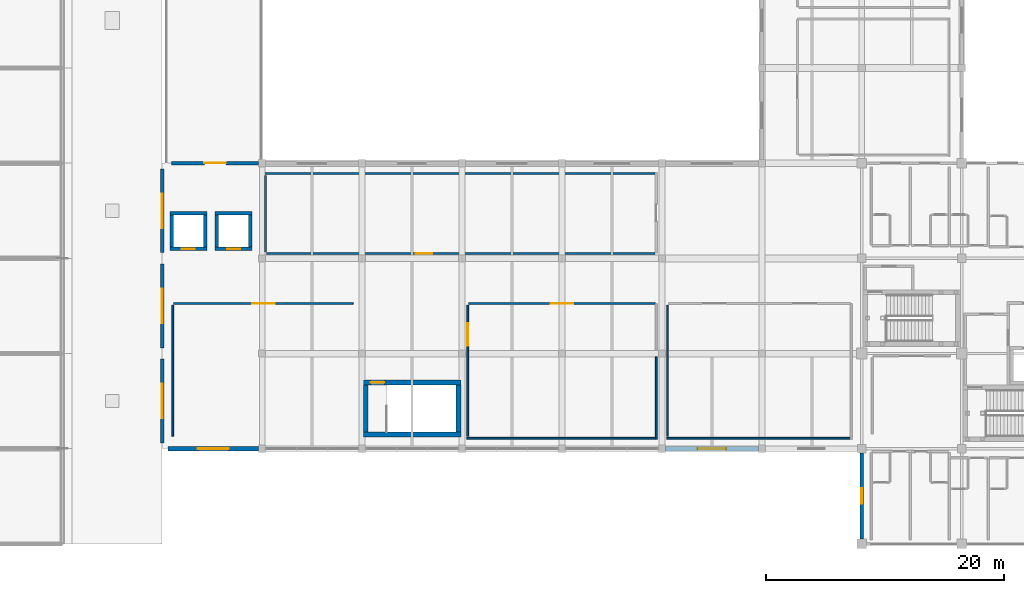
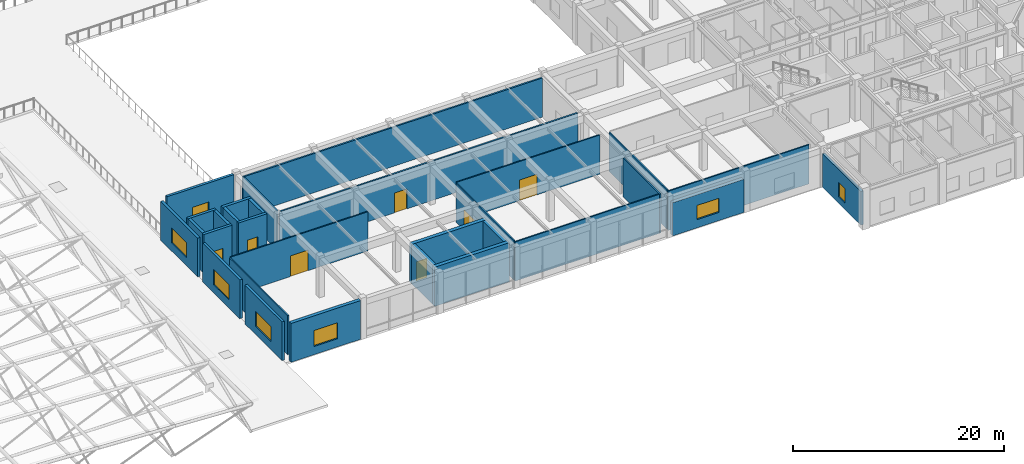
# One storey, part 20 of 37: 30 walls, 8 doors, 6 windows, 14 openings.
"""IFC4 building model written with IfcOpenShell, lengths in metres."""

from ifc_helpers import new_model, si_unit, direction, frame, frame_2d, origin, place, context, subcontext, project, spatial, rectangle, extrude, material, layer, layer_set, type_object, element, fill, save


model = new_model("IFC4")

# Units and contexts
model_context = context("Model", 3, precision=1e-05, world=origin(), true_north=direction((0.0, 1.0)))
body_context = subcontext(model_context, "Body", "Model", "MODEL_VIEW")
ifc_project = project(units=[si_unit("LENGTHUNIT", "METRE"), si_unit("AREAUNIT", "SQUARE_METRE"), si_unit("VOLUMEUNIT", "CUBIC_METRE"), si_unit("PLANEANGLEUNIT", "RADIAN"), si_unit("MASSUNIT", "GRAM", prefix="KILO")], contexts=[model_context])

# Site, building, storey
site_placement = place(None, origin())
site = spatial("IfcSite", under=ifc_project, at=site_placement, CompositionType="ELEMENT")
building_placement = place(site_placement, origin())
building = spatial("IfcBuilding", under=site, at=building_placement, Name="Naruveol Harbour Congress Hotel", CompositionType="ELEMENT")
storey_placement = place(building_placement, frame((0.0, 0.0, 16.199951171875)))
storey = spatial("IfcBuildingStorey", under=building, at=storey_placement, Name="L03", CompositionType="ELEMENT", Elevation=16.199951171875)

# Wall, opening, door
ifc_material_1 = material(Name="Autoclaved Aerated Concrete Block", Category="concrete")
ifc_layer_1 = layer(ifc_material_1, 0.179931640625)
ifc_layer_set_1 = layer_set([ifc_layer_1], Name="Autoclaved Aerated Concrete Block")
wall_type_1 = type_object("IfcWallType", Name="ACOUSTIC HALL PARTITION WALL 180 EI60", PredefinedType="PARTITIONING", material=ifc_layer_set_1)
wall_1_placement = place(storey_placement, frame((67.56005859375, 24.39990234375, 0.0), z_axis=(0.0, 0.0, 1.0), x_axis=(1.0, 0.0, 0.0)))
wall_1 = element("IfcWall", 1, at=wall_1_placement, inside=storey, type_object=wall_type_1, Name="Executive Boardroom Suite south entry wall PW-180", PredefinedType="PARTITIONING", context=body_context, shape_type="SweptSolid", body=[
    extrude(rectangle(XDim=32.679931640625, YDim=0.179931640625, at=frame_2d((16.33984375, 0.0))), origin(), (0.0, 0.0, 1.0), 4.53515625),
])
opening_1_placement = place(wall_1_placement, frame((12.568115234375, 0.0, 0.0)))
opening_1 = element("IfcOpeningElement", 2, at=opening_1_placement, cuts=wall_1, Name="Opening ID-BD-84", PredefinedType="OPENING", context=body_context, shape_type="SweptSolid", body=[
    extrude(rectangle(XDim=1.3798828125, YDim=2.300048828125, at=frame_2d((0.68994140625, 1.14990234375))), frame((0.0, 0.099853515625, 0.0), z_axis=(0.0, -1.0, 0.0), x_axis=(1.0, 0.0, 0.0)), (0.0, 0.0, 1.0), 0.199951171875),
])
ifc_material_2 = material(Name="Timber & Steel Acoustic Leaf", Category="steel")
door_type_1 = type_object("IfcDoorType", Name="BOARDROOM GLAZED DOUBLE DOOR 1380X2300", OperationType="DOUBLE_DOOR_SINGLE_SWING", PredefinedType="DOOR", material=ifc_material_2)
door_1_placement = place(opening_1_placement, origin())
door_1 = element("IfcDoor", 3, at=door_1_placement, inside=storey, type_object=door_type_1, Name="Executive Boardroom Suite Entrance Door", OperationType="DOUBLE_DOOR_SINGLE_SWING", OverallHeight=2.300048828125, OverallWidth=1.3798828125, PredefinedType="DOOR", context=body_context, shape_type="SweptSolid", body=[
    extrude(rectangle(XDim=1.3798828125, YDim=2.300048828125, at=frame_2d((0.68994140625, 1.14990234375))), frame((0.0, 0.02490234375, 0.0), z_axis=(0.0, -1.0, 0.0), x_axis=(1.0, 0.0, 0.0)), (0.0, 0.0, 1.0), 0.050048828125),
])
fill(opening_1, door_1)

# Walls
wall_2_placement = place(storey_placement, frame((67.47998046875, 24.5400390625, 0.0), z_axis=(0.0, 0.0, 1.0), x_axis=(0.0, 1.0, 0.0)))
element("IfcWall", 4, at=wall_2_placement, inside=storey, type_object=wall_type_1, Name="Executive Boardroom Suite west partition PW-180", PredefinedType="PARTITIONING", context=body_context, shape_type="SweptSolid", body=[
    extrude(rectangle(XDim=6.409912109375, YDim=0.179931640625, at=frame_2d((3.205078125, 0.0))), origin(), (0.0, 0.0, 1.0), 4.53515625),
])
wall_3_placement = place(storey_placement, frame((67.39990234375, 31.1201171875, 0.0), z_axis=(0.0, 0.0, 1.0), x_axis=(1.0, 0.0, 0.0)))
element("IfcWall", 5, at=wall_3_placement, inside=storey, type_object=wall_type_1, Name="Executive Boardroom Suite north enclosure partition PW-180", PredefinedType="PARTITIONING", context=body_context, shape_type="SweptSolid", body=[
    extrude(rectangle(XDim=32.830078125, YDim=0.179931640625, at=frame_2d((16.4150390625, 0.0))), origin(), (0.0, 0.0, 1.0), 4.53515625),
])

# Wall, opening, door
ifc_material_3 = material(Name="Acoustic Double Stud Gypsum", Category="gypsum")
ifc_layer_2 = layer(ifc_material_3, 0.139892578125)
ifc_layer_set_2 = layer_set([ifc_layer_2], Name="Acoustic Double Stud Gypsum")
wall_type_2 = type_object("IfcWallType", Name="ACOUSTIC MEETING PARTITION WALL 140", PredefinedType="PARTITIONING", material=ifc_layer_set_2)
wall_4_placement = place(storey_placement, frame((59.760009765625, 20.199951171875, 0.0), z_axis=(0.0, 0.0, 1.0), x_axis=(1.0, 0.0, 0.0)))
wall_4 = element("IfcWall", 6, at=wall_4_placement, inside=storey, type_object=wall_type_2, Name="Harbour Delegates Lounge north entry wall PW-140", PredefinedType="PARTITIONING", context=body_context, shape_type="SweptSolid", body=[
    extrude(rectangle(XDim=15.080078125, YDim=0.139892578125, at=frame_2d((7.5400390625, 0.0))), origin(), (0.0, 0.0, 1.0), 4.53515625),
])
opening_2_placement = place(wall_4_placement, frame((6.590087890625, 0.0, 0.0)))
opening_2 = element("IfcOpeningElement", 7, at=opening_2_placement, cuts=wall_4, Name="Opening ID-LG-82", PredefinedType="OPENING", context=body_context, shape_type="SweptSolid", body=[
    extrude(rectangle(XDim=1.89990234375, YDim=2.39990234375, at=frame_2d((0.949951171875, 1.199951171875))), frame((0.0, 0.079833984375, 0.0), z_axis=(0.0, -1.0, 0.0), x_axis=(1.0, 0.0, 0.0)), (0.0, 0.0, 1.0), 0.159912109375),
])
ifc_material_4 = material(Name="Timber & Steel Acoustic Leaf", Category="steel")
door_type_2 = type_object("IfcDoorType", Name="RESTAURANT AND LOUNGE GLAZED DOOR 1900X2400", OperationType="DOUBLE_DOOR_SINGLE_SWING", PredefinedType="DOOR", material=ifc_material_4)
door_2_placement = place(opening_2_placement, origin())
door_2 = element("IfcDoor", 8, at=door_2_placement, inside=storey, type_object=door_type_2, Name="Harbour Delegates Lounge Entrance Door", OperationType="DOUBLE_DOOR_SINGLE_SWING", OverallHeight=2.39990234375, OverallWidth=1.89990234375, PredefinedType="DOOR", context=body_context, shape_type="SweptSolid", body=[
    extrude(rectangle(XDim=1.89990234375, YDim=2.39990234375, at=frame_2d((0.949951171875, 1.199951171875))), frame((0.0, 0.02490234375, 0.0), z_axis=(0.0, -1.0, 0.0), x_axis=(1.0, 0.0, 0.0)), (0.0, 0.0, 1.0), 0.050048828125),
])
fill(opening_2, door_2)

# Wall
wall_5_placement = place(storey_placement, frame((59.679931640625, 9.050048828125, 0.0), z_axis=(0.0, 0.0, 1.0), x_axis=(0.0, 1.0, 0.0)))
element("IfcWall", 9, at=wall_5_placement, inside=storey, type_object=wall_type_2, Name="Harbour Delegates Lounge west partition PW-140", PredefinedType="PARTITIONING", context=body_context, shape_type="SweptSolid", body=[
    extrude(rectangle(XDim=11.010009765625, YDim=0.139892578125, at=frame_2d((5.5048828125, 0.0))), origin(), (0.0, 0.0, 1.0), 4.53515625),
])

# Wall, opening, door
wall_6_placement = place(storey_placement, frame((84.56005859375, 20.199951171875, 0.0), z_axis=(0.0, 0.0, 1.0), x_axis=(1.0, 0.0, 0.0)))
wall_6 = element("IfcWall", 10, at=wall_6_placement, inside=storey, type_object=wall_type_2, Name="Breakout Salon 300 north entry wall PW-140", PredefinedType="PARTITIONING", context=body_context, shape_type="SweptSolid", body=[
    extrude(rectangle(XDim=15.679931640625, YDim=0.139892578125, at=frame_2d((7.83984375, 0.0))), origin(), (0.0, 0.0, 1.0), 4.53515625),
])
opening_3_placement = place(wall_6_placement, frame((6.889892578125, 0.0, 0.0)))
opening_3 = element("IfcOpeningElement", 11, at=opening_3_placement, cuts=wall_6, Name="Opening ID-LG-83", PredefinedType="OPENING", context=body_context, shape_type="SweptSolid", body=[
    extrude(rectangle(XDim=1.89990234375, YDim=2.39990234375, at=frame_2d((0.949951171875, 1.199951171875))), frame((0.0, 0.079833984375, 0.0), z_axis=(0.0, -1.0, 0.0), x_axis=(1.0, 0.0, 0.0)), (0.0, 0.0, 1.0), 0.159912109375),
])
door_3_placement = place(opening_3_placement, origin())
door_3 = element("IfcDoor", 12, at=door_3_placement, inside=storey, type_object=door_type_2, Name="Breakout Salon 300 Entrance Door", OperationType="DOUBLE_DOOR_SINGLE_SWING", OverallHeight=2.39990234375, OverallWidth=1.89990234375, PredefinedType="DOOR", context=body_context, shape_type="SweptSolid", body=[
    extrude(rectangle(XDim=1.89990234375, YDim=2.39990234375, at=frame_2d((0.949951171875, 1.199951171875))), frame((0.0, 0.02490234375, 0.0), z_axis=(0.0, -1.0, 0.0), x_axis=(1.0, 0.0, 0.0)), (0.0, 0.0, 1.0), 0.050048828125),
])
fill(opening_3, door_3)

wall_7_placement = place(storey_placement, frame((84.47998046875, 9.050048828125, 0.0), z_axis=(0.0, 0.0, 1.0), x_axis=(0.0, 1.0, 0.0)))
wall_7 = element("IfcWall", 13, at=wall_7_placement, inside=storey, type_object=wall_type_2, Name="Breakout Salon 300 west partition PW-140", PredefinedType="PARTITIONING", context=body_context, shape_type="SweptSolid", body=[
    extrude(rectangle(XDim=11.010009765625, YDim=0.139892578125, at=frame_2d((5.5048828125, 0.0))), origin(), (0.0, 0.0, 1.0), 4.53515625),
])
opening_4_placement = place(wall_7_placement, frame((7.60009765625, 0.0, 0.0)))
opening_4 = element("IfcOpeningElement", 14, at=opening_4_placement, cuts=wall_7, Name="Opening ID-LG-83B", PredefinedType="OPENING", context=body_context, shape_type="SweptSolid", body=[
    extrude(rectangle(XDim=1.89990234375, YDim=2.39990234375, at=frame_2d((0.949951171875, 1.199951171875))), frame((0.0, 0.079833984375, 0.0), z_axis=(0.0, -1.0, 0.0), x_axis=(1.0, 0.0, 0.0)), (0.0, 0.0, 1.0), 0.159912109375),
])
door_4_placement = place(opening_4_placement, origin())
door_4 = element("IfcDoor", 15, at=door_4_placement, inside=storey, type_object=door_type_2, Name="Breakout Salon 300 Second Exit Door", OperationType="DOUBLE_DOOR_SINGLE_SWING", OverallHeight=2.39990234375, OverallWidth=1.89990234375, PredefinedType="DOOR", context=body_context, shape_type="SweptSolid", body=[
    extrude(rectangle(XDim=1.89990234375, YDim=2.39990234375, at=frame_2d((0.949951171875, 1.199951171875))), frame((0.0, 0.02490234375, 0.0), z_axis=(0.0, -1.0, 0.0), x_axis=(1.0, 0.0, 0.0)), (0.0, 0.0, 1.0), 0.050048828125),
])
fill(opening_4, door_4)

# Walls
wall_8_placement = place(storey_placement, frame((101.280029296875, 9.050048828125, 0.0), z_axis=(0.0, 0.0, 1.0), x_axis=(0.0, 1.0, 0.0)))
element("IfcWall", 16, at=wall_8_placement, inside=storey, type_object=wall_type_2, Name="Breakout Salon 301 west partition PW-140", PredefinedType="PARTITIONING", context=body_context, shape_type="SweptSolid", body=[
    extrude(rectangle(XDim=11.010009765625, YDim=0.139892578125, at=frame_2d((5.5048828125, 0.0))), origin(), (0.0, 0.0, 1.0), 4.53515625),
])
wall_9_placement = place(storey_placement, frame((100.320068359375, 8.800048828125, 0.0), z_axis=(0.0, 0.0, 1.0), x_axis=(0.0, 1.0, 0.0)))
element("IfcWall", 17, at=wall_9_placement, inside=storey, type_object=wall_type_2, Name="Breakout Salon 300 east enclosure partition PW-140", PredefinedType="PARTITIONING", context=body_context, shape_type="SweptSolid", body=[
    extrude(rectangle(XDim=6.9208984375, YDim=0.139892578125, at=frame_2d((3.46044921875, 0.0))), origin(), (0.0, 0.0, 1.0), 4.53515625),
])
wall_10_placement = place(storey_placement, frame((84.39990234375, 8.8798828125, 0.0), z_axis=(0.0, 0.0, 1.0), x_axis=(1.0, 0.0, 0.0)))
element("IfcWall", 18, at=wall_10_placement, inside=storey, type_object=wall_type_2, Name="Breakout Salon 300 south enclosure partition PW-140", PredefinedType="PARTITIONING", context=body_context, shape_type="SweptSolid", body=[
    extrude(rectangle(XDim=15.85009765625, YDim=0.139892578125, at=frame_2d((7.925048828125, 0.0))), origin(), (0.0, 0.0, 1.0), 4.53515625),
])
wall_11_placement = place(storey_placement, frame((101.199951171875, 8.8798828125, 0.0), z_axis=(0.0, 0.0, 1.0), x_axis=(1.0, 0.0, 0.0)))
element("IfcWall", 19, at=wall_11_placement, inside=storey, type_object=wall_type_2, Name="Breakout Salon 301 south enclosure partition PW-140", PredefinedType="PARTITIONING", context=body_context, shape_type="SweptSolid", body=[
    extrude(rectangle(XDim=15.449951171875, YDim=0.139892578125, at=frame_2d((7.72509765625, 0.0))), origin(), (0.0, 0.0, 1.0), 4.53515625),
])

# Wall, opening, door
ifc_material_5 = material(Name="Precast concrete C40/50", Category="concrete")
ifc_layer_3 = layer(ifc_material_5, 0.280029296875)
ifc_layer_set_3 = layer_set([ifc_layer_3], Name="Precast concrete C40/50")
wall_type_3 = type_object("IfcWallType", Name="ARCHITECTURAL PRECAST FACADE WALL 280", PredefinedType="SOLIDWALL", material=ifc_layer_set_3)
wall_12_placement = place(storey_placement, frame((59.580078125, 32.0, 0.0), z_axis=(0.0, 0.0, 1.0), x_axis=(1.0, 0.0, 0.0)))
wall_12 = element("IfcWall", 20, at=wall_12_placement, inside=storey, type_object=wall_type_3, Name="Level L03 terrace portal wall EW-280", PredefinedType="SOLIDWALL", context=body_context, shape_type="SweptSolid", body=[
    extrude(rectangle(XDim=7.31982421875, YDim=0.280029296875, at=frame_2d((3.659912109375, 0.0))), origin(), (0.0, 0.0, 1.0), 4.5),
])
opening_5_placement = place(wall_12_placement, frame((2.760009765625, 0.0, 0.0)))
opening_5 = element("IfcOpeningElement", 21, at=opening_5_placement, cuts=wall_12, Name="Opening ED-TR31", PredefinedType="OPENING", context=body_context, shape_type="SweptSolid", body=[
    extrude(rectangle(XDim=1.800048828125, YDim=2.300048828125, at=frame_2d((0.89990234375, 1.14990234375))), frame((0.0, 0.14990234375, 0.0), z_axis=(0.0, -1.0, 0.0), x_axis=(1.0, 0.0, 0.0)), (0.0, 0.0, 1.0), 0.300048828125),
])
ifc_material_6 = material(Name="Powder-Coated Steel & Insulated Glazing", Category="steel")
door_type_3 = type_object("IfcDoorType", Name="ROOF TERRACE ACCESS DOOR 1800X2300", OperationType="DOUBLE_DOOR_SINGLE_SWING", PredefinedType="DOOR", material=ifc_material_6)
door_5_placement = place(opening_5_placement, origin())
door_5 = element("IfcDoor", 22, at=door_5_placement, inside=storey, type_object=door_type_3, Name="L03 Public Roof Terrace Door ED-TR31", OperationType="DOUBLE_DOOR_SINGLE_SWING", OverallHeight=2.300048828125, OverallWidth=1.800048828125, PredefinedType="DOOR", context=body_context, shape_type="SweptSolid", body=[
    extrude(rectangle(XDim=1.800048828125, YDim=2.300048828125, at=frame_2d((0.89990234375, 1.14990234375))), frame((0.0, 0.02490234375, 0.0), z_axis=(0.0, -1.0, 0.0), x_axis=(1.0, 0.0, 0.0)), (0.0, 0.0, 1.0), 0.050048828125),
])
fill(opening_5, door_5)

# Wall, opening, window
wall_13_placement = place(storey_placement, frame((58.800048828125, 8.47998046875, 0.0), z_axis=(0.0, 0.0, 1.0), x_axis=(0.0, 1.0, 0.0)))
wall_13 = element("IfcWall", 23, at=wall_13_placement, inside=storey, type_object=wall_type_3, Name="Level L03 west gable wall EW-280", PredefinedType="SOLIDWALL", context=body_context, shape_type="SweptSolid", body=[
    extrude(rectangle(XDim=7.0400390625, YDim=0.280029296875, at=frame_2d((3.52001953125, 0.0))), origin(), (0.0, 0.0, 1.0), 4.5),
])
opening_6_placement = place(wall_13_placement, frame((2.070068359375, 0.0, 0.949951171875)))
opening_6 = element("IfcOpeningElement", 24, at=opening_6_placement, cuts=wall_13, Name="Opening W-23", PredefinedType="OPENING", context=body_context, shape_type="SweptSolid", body=[
    extrude(rectangle(XDim=2.89990234375, YDim=1.75, at=frame_2d((1.449951171875, 0.875))), frame((0.0, 0.14990234375, 0.0), z_axis=(0.0, -1.0, 0.0), x_axis=(1.0, 0.0, 0.0)), (0.0, 0.0, 1.0), 0.300048828125),
])
ifc_material_7 = material(Name="Low-E Triple Glazing in Thermal Aluminium", Category="aluminium")
window_type_1 = type_object("IfcWindowType", Name="BOARDROOM HARBOUR WINDOW 2900X1750", PartitioningType="DOUBLE_PANEL_VERTICAL", PredefinedType="WINDOW", material=ifc_material_7)
window_1_placement = place(opening_6_placement, origin())
window_1 = element("IfcWindow", 25, at=window_1_placement, inside=storey, type_object=window_type_1, Name="Window W-23 #167", OverallHeight=1.75, OverallWidth=2.89990234375, PartitioningType="DOUBLE_PANEL_VERTICAL", PredefinedType="WINDOW", context=body_context, shape_type="SweptSolid", body=[
    extrude(rectangle(XDim=2.89990234375, YDim=1.75, at=frame_2d((1.449951171875, 0.875))), frame((0.0, 0.030029296875, 0.0), z_axis=(0.0, -1.0, 0.0), x_axis=(1.0, 0.0, 0.0)), (0.0, 0.0, 1.0), 0.06005859375),
])
fill(opening_6, window_1)

wall_14_placement = place(storey_placement, frame((58.800048828125, 16.47998046875, 0.0), z_axis=(0.0, 0.0, 1.0), x_axis=(0.0, 1.0, 0.0)))
wall_14 = element("IfcWall", 26, at=wall_14_placement, inside=storey, type_object=wall_type_3, Name="Level L03 west gable wall EW-280", PredefinedType="SOLIDWALL", context=body_context, shape_type="SweptSolid", body=[
    extrude(rectangle(XDim=7.0400390625, YDim=0.280029296875, at=frame_2d((3.52001953125, 0.0))), origin(), (0.0, 0.0, 1.0), 4.5),
])
opening_7_placement = place(wall_14_placement, frame((2.070068359375, 0.0, 0.949951171875)))
opening_7 = element("IfcOpeningElement", 27, at=opening_7_placement, cuts=wall_14, Name="Opening W-23", PredefinedType="OPENING", context=body_context, shape_type="SweptSolid", body=[
    extrude(rectangle(XDim=2.89990234375, YDim=1.75, at=frame_2d((1.449951171875, 0.875))), frame((0.0, 0.14990234375, 0.0), z_axis=(0.0, -1.0, 0.0), x_axis=(1.0, 0.0, 0.0)), (0.0, 0.0, 1.0), 0.300048828125),
])
window_2_placement = place(opening_7_placement, origin())
window_2 = element("IfcWindow", 28, at=window_2_placement, inside=storey, type_object=window_type_1, Name="Window W-23 #168", OverallHeight=1.75, OverallWidth=2.89990234375, PartitioningType="DOUBLE_PANEL_VERTICAL", PredefinedType="WINDOW", context=body_context, shape_type="SweptSolid", body=[
    extrude(rectangle(XDim=2.89990234375, YDim=1.75, at=frame_2d((1.449951171875, 0.875))), frame((0.0, 0.030029296875, 0.0), z_axis=(0.0, -1.0, 0.0), x_axis=(1.0, 0.0, 0.0)), (0.0, 0.0, 1.0), 0.06005859375),
])
fill(opening_7, window_2)

wall_15_placement = place(storey_placement, frame((58.800048828125, 24.47998046875, 0.0), z_axis=(0.0, 0.0, 1.0), x_axis=(0.0, 1.0, 0.0)))
wall_15 = element("IfcWall", 29, at=wall_15_placement, inside=storey, type_object=wall_type_3, Name="Level L03 west gable wall EW-280", PredefinedType="SOLIDWALL", context=body_context, shape_type="SweptSolid", body=[
    extrude(rectangle(XDim=7.0400390625, YDim=0.280029296875, at=frame_2d((3.52001953125, 0.0))), origin(), (0.0, 0.0, 1.0), 4.5),
])
opening_8_placement = place(wall_15_placement, frame((2.070068359375, 0.0, 0.949951171875)))
opening_8 = element("IfcOpeningElement", 30, at=opening_8_placement, cuts=wall_15, Name="Opening W-23", PredefinedType="OPENING", context=body_context, shape_type="SweptSolid", body=[
    extrude(rectangle(XDim=2.89990234375, YDim=1.75, at=frame_2d((1.449951171875, 0.875))), frame((0.0, 0.14990234375, 0.0), z_axis=(0.0, -1.0, 0.0), x_axis=(1.0, 0.0, 0.0)), (0.0, 0.0, 1.0), 0.300048828125),
])
window_3_placement = place(opening_8_placement, origin())
window_3 = element("IfcWindow", 31, at=window_3_placement, inside=storey, type_object=window_type_1, Name="Window W-23 #169", OverallHeight=1.75, OverallWidth=2.89990234375, PartitioningType="DOUBLE_PANEL_VERTICAL", PredefinedType="WINDOW", context=body_context, shape_type="SweptSolid", body=[
    extrude(rectangle(XDim=2.89990234375, YDim=1.75, at=frame_2d((1.449951171875, 0.875))), frame((0.0, 0.030029296875, 0.0), z_axis=(0.0, -1.0, 0.0), x_axis=(1.0, 0.0, 0.0)), (0.0, 0.0, 1.0), 0.06005859375),
])
fill(opening_8, window_3)

wall_16_placement = place(storey_placement, frame((117.60009765625, 0.39990234375, 0.0), z_axis=(0.0, 0.0, 1.0), x_axis=(0.0, 1.0, 0.0)))
wall_16 = element("IfcWall", 32, at=wall_16_placement, inside=storey, type_object=wall_type_3, Name="Hotel west gable wall L03 EW-280", PredefinedType="SOLIDWALL", context=body_context, shape_type="SweptSolid", body=[
    extrude(rectangle(XDim=7.25, YDim=0.280029296875, at=frame_2d((3.625, 0.0))), origin(), (0.0, 0.0, 1.0), 3.900146484375),
])
opening_9_placement = place(wall_16_placement, frame((2.97509765625, 0.0, 0.75)))
opening_9 = element("IfcOpeningElement", 33, at=opening_9_placement, cuts=wall_16, Name="Opening W-27", PredefinedType="OPENING", context=body_context, shape_type="SweptSolid", body=[
    extrude(rectangle(XDim=1.300048828125, YDim=1.64990234375, at=frame_2d((0.64990234375, 0.824951171875))), frame((0.0, 0.14990234375, 0.0), z_axis=(0.0, -1.0, 0.0), x_axis=(1.0, 0.0, 0.0)), (0.0, 0.0, 1.0), 0.300048828125),
])
ifc_material_8 = material(Name="Low-E Triple Glazing in Thermal Aluminium", Category="aluminium")
window_type_2 = type_object("IfcWindowType", Name="READING SALON TALL WINDOW 1300X1650", PartitioningType="SINGLE_PANEL", PredefinedType="WINDOW", material=ifc_material_8)
window_4_placement = place(opening_9_placement, origin())
window_4 = element("IfcWindow", 34, at=window_4_placement, inside=storey, type_object=window_type_2, Name="Window W-27 #269", OverallHeight=1.64990234375, OverallWidth=1.300048828125, PartitioningType="SINGLE_PANEL", PredefinedType="WINDOW", context=body_context, shape_type="SweptSolid", body=[
    extrude(rectangle(XDim=1.300048828125, YDim=1.64990234375, at=frame_2d((0.64990234375, 0.824951171875))), frame((0.0, 0.030029296875, 0.0), z_axis=(0.0, -1.0, 0.0), x_axis=(1.0, 0.0, 0.0)), (0.0, 0.0, 1.0), 0.06005859375),
])
fill(opening_9, window_4)

ifc_material_9 = material(Name="Concrete C40/50", Category="concrete")
ifc_layer_4 = layer(ifc_material_9, 0.3798828125)
ifc_layer_set_4 = layer_set([ifc_layer_4], Name="Concrete C40/50")
wall_type_4 = type_object("IfcWallType", Name="INSULATED GRANITE FACADE WALL 380", PredefinedType="SOLIDWALL", material=ifc_layer_set_4)
wall_17_placement = place(storey_placement, frame((108.89990234375, 8.0, 0.0), z_axis=(0.0, 0.0, 1.0), x_axis=(-1.0, 0.0, 0.0)))
wall_17 = element("IfcWall", 35, at=wall_17_placement, inside=storey, type_object=wall_type_4, Name="Courtyard wing south facade EW-380", PredefinedType="SOLIDWALL", context=body_context, shape_type="SweptSolid", body=[
    extrude(rectangle(XDim=7.7998046875, YDim=0.3798828125, at=frame_2d((3.89990234375, 0.0))), origin(), (0.0, 0.0, 1.0), 3.840087890625),
])
opening_10_placement = place(wall_17_placement, frame((2.699951171875, 0.0, 0.949951171875)))
opening_10 = element("IfcOpeningElement", 36, at=opening_10_placement, cuts=wall_17, Name="Opening W-07", PredefinedType="OPENING", context=body_context, shape_type="SweptSolid", body=[
    extrude(rectangle(XDim=2.39990234375, YDim=1.64990234375, at=frame_2d((1.199951171875, 0.824951171875))), frame((0.0, 0.199951171875, 0.0), z_axis=(0.0, -1.0, 0.0), x_axis=(1.0, 0.0, 0.0)), (0.0, 0.0, 1.0), 0.39990234375),
])
ifc_material_10 = material(Name="Low-E Triple Glazing in Thermal Aluminium", Category="aluminium")
window_type_3 = type_object("IfcWindowType", Name="CORNER SUITE WINDOW 2400X1650", PartitioningType="DOUBLE_PANEL_VERTICAL", PredefinedType="WINDOW", material=ifc_material_10)
window_5_placement = place(opening_10_placement, origin())
window_5 = element("IfcWindow", 37, at=window_5_placement, inside=storey, type_object=window_type_3, Name="Window W-07 #155", OverallHeight=1.64990234375, OverallWidth=2.39990234375, PartitioningType="DOUBLE_PANEL_VERTICAL", PredefinedType="WINDOW", context=body_context, shape_type="SweptSolid", body=[
    extrude(rectangle(XDim=2.39990234375, YDim=1.64990234375, at=frame_2d((1.199951171875, 0.824951171875))), frame((0.0, 0.030029296875, 0.0), z_axis=(0.0, -1.0, 0.0), x_axis=(1.0, 0.0, 0.0)), (0.0, 0.0, 1.0), 0.06005859375),
])
fill(opening_10, window_5)

wall_18_placement = place(storey_placement, frame((66.89990234375, 8.0, 0.0), z_axis=(0.0, 0.0, 1.0), x_axis=(-1.0, 0.0, 0.0)))
wall_18 = element("IfcWall", 38, at=wall_18_placement, inside=storey, type_object=wall_type_4, Name="Courtyard wing south facade EW-380", PredefinedType="SOLIDWALL", context=body_context, shape_type="SweptSolid", body=[
    extrude(rectangle(XDim=7.619873046875, YDim=0.3798828125, at=frame_2d((3.81005859375, 0.0))), origin(), (0.0, 0.0, 1.0), 4.5),
])
opening_11_placement = place(wall_18_placement, frame((2.510009765625, 0.0, 0.949951171875)))
opening_11 = element("IfcOpeningElement", 39, at=opening_11_placement, cuts=wall_18, Name="Opening W-08", PredefinedType="OPENING", context=body_context, shape_type="SweptSolid", body=[
    extrude(rectangle(XDim=2.60009765625, YDim=1.85009765625, at=frame_2d((1.300048828125, 0.925048828125))), frame((0.0, 0.199951171875, 0.0), z_axis=(0.0, -1.0, 0.0), x_axis=(1.0, 0.0, 0.0)), (0.0, 0.0, 1.0), 0.39990234375),
])
ifc_material_11 = material(Name="Low-E Triple Glazing in Thermal Aluminium", Category="aluminium")
window_type_4 = type_object("IfcWindowType", Name="DIPLOMATIC SUITE WINDOW 2600X1850", PartitioningType="DOUBLE_PANEL_VERTICAL", PredefinedType="WINDOW", material=ifc_material_11)
window_6_placement = place(opening_11_placement, origin())
window_6 = element("IfcWindow", 40, at=window_6_placement, inside=storey, type_object=window_type_4, Name="Window W-08 #156", OverallHeight=1.85009765625, OverallWidth=2.60009765625, PartitioningType="DOUBLE_PANEL_VERTICAL", PredefinedType="WINDOW", context=body_context, shape_type="SweptSolid", body=[
    extrude(rectangle(XDim=2.60009765625, YDim=1.85009765625, at=frame_2d((1.300048828125, 0.925048828125))), frame((0.0, 0.030029296875, 0.0), z_axis=(0.0, -1.0, 0.0), x_axis=(1.0, 0.0, 0.0)), (0.0, 0.0, 1.0), 0.06005859375),
])
fill(opening_11, window_6)

# Walls
ifc_material_12 = material(Name="Concrete C50/60", Category="concrete")
ifc_layer_5 = layer(ifc_material_12, 0.39990234375)
ifc_layer_set_5 = layer_set([ifc_layer_5], Name="Concrete C50/60")
wall_type_5 = type_object("IfcWallType", Name="RC CORE SHEAR WALL 400 EI120", PredefinedType="SHEAR", material=ifc_layer_set_5)
wall_19_placement = place(storey_placement, frame((75.699951171875, 9.199951171875, 0.0), z_axis=(0.0, 0.0, 1.0), x_axis=(1.0, 0.0, 0.0)))
element("IfcWall", 41, at=wall_19_placement, inside=storey, type_object=wall_type_5, Name="Stair ST10 south core wall CW-400", PredefinedType="SHEAR", context=body_context, shape_type="SweptSolid", body=[
    extrude(rectangle(XDim=8.199951171875, YDim=0.39990234375, at=frame_2d((4.10009765625, 0.0))), origin(), (0.0, 0.0, 1.0), 4.53515625),
])
wall_20_placement = place(storey_placement, frame((83.699951171875, 9.405029296875, 0.0), z_axis=(0.0, 0.0, 1.0), x_axis=(0.0, 1.0, 0.0)))
element("IfcWall", 42, at=wall_20_placement, inside=storey, type_object=wall_type_5, Name="Stair ST10 east core wall CW-400", PredefinedType="SHEAR", context=body_context, shape_type="SweptSolid", body=[
    extrude(rectangle(XDim=3.949951171875, YDim=0.39990234375, at=frame_2d((1.97509765625, 0.0))), origin(), (0.0, 0.0, 1.0), 4.53515625),
])

# Wall, opening, door
wall_21_placement = place(storey_placement, frame((75.699951171875, 13.56005859375, 0.0), z_axis=(0.0, 0.0, 1.0), x_axis=(1.0, 0.0, 0.0)))
wall_21 = element("IfcWall", 43, at=wall_21_placement, inside=storey, type_object=wall_type_5, Name="Stair ST10 north core wall CW-400", PredefinedType="SHEAR", context=body_context, shape_type="SweptSolid", body=[
    extrude(rectangle(XDim=8.199951171875, YDim=0.39990234375, at=frame_2d((4.10009765625, 0.0))), origin(), (0.0, 0.0, 1.0), 4.53515625),
])
opening_12_placement = place(wall_21_placement, frame((0.6201171875, 0.0, 0.0)))
opening_12 = element("IfcOpeningElement", 44, at=opening_12_placement, cuts=wall_21, Name="Opening FD-ST10-L03", PredefinedType="OPENING", context=body_context, shape_type="SweptSolid", body=[
    extrude(rectangle(XDim=1.159912109375, YDim=2.199951171875, at=frame_2d((0.580078125, 1.10009765625))), frame((0.0, 0.2099609375, 0.0), z_axis=(0.0, -1.0, 0.0), x_axis=(1.0, 0.0, 0.0)), (0.0, 0.0, 1.0), 0.419921875),
])
ifc_material_13 = material(Name="Timber & Steel Acoustic Leaf", Category="steel")
door_type_4 = type_object("IfcDoorType", Name="SPECIAL ESCAPE STAIR FIRE DOOR 1160X2200", OperationType="NOTDEFINED", PredefinedType="DOOR", material=ifc_material_13)
door_6_placement = place(opening_12_placement, origin())
door_6 = element("IfcDoor", 45, at=door_6_placement, inside=storey, type_object=door_type_4, Name="Enclosed Exit Stair Door ST10 L03", OperationType="SINGLE_SWING_RIGHT", OverallHeight=2.199951171875, OverallWidth=1.159912109375, PredefinedType="DOOR", context=body_context, shape_type="SweptSolid", body=[
    extrude(rectangle(XDim=1.159912109375, YDim=2.199951171875, at=frame_2d((0.580078125, 1.10009765625))), frame((0.0, 0.02490234375, 0.0), z_axis=(0.0, -1.0, 0.0), x_axis=(1.0, 0.0, 0.0)), (0.0, 0.0, 1.0), 0.050048828125),
])
fill(opening_12, door_6)

# Wall
wall_22_placement = place(storey_placement, frame((75.89990234375, 9.405029296875, 0.0), z_axis=(0.0, 0.0, 1.0), x_axis=(0.0, 1.0, 0.0)))
element("IfcWall", 46, at=wall_22_placement, inside=storey, type_object=wall_type_5, Name="Stair ST10 west core wall CW-400", PredefinedType="SHEAR", context=body_context, shape_type="SweptSolid", body=[
    extrude(rectangle(XDim=3.949951171875, YDim=0.39990234375, at=frame_2d((1.97509765625, 0.0))), origin(), (0.0, 0.0, 1.0), 4.53515625),
])

# Wall, opening, door
ifc_material_14 = material(Name="Concrete C50/60", Category="concrete")
ifc_layer_6 = layer(ifc_material_14, 0.300048828125)
ifc_layer_set_6 = layer_set([ifc_layer_6], Name="Concrete C50/60")
wall_type_6 = type_object("IfcWallType", Name="RC STAIR AND HOISTWAY SHEAR WALL 300 EI120", PredefinedType="SHEAR", material=ifc_layer_set_6)
wall_23_placement = place(storey_placement, frame((59.449951171875, 24.800048828125, 0.0), z_axis=(0.0, 0.0, 1.0), x_axis=(1.0, 0.0, 0.0)))
wall_23 = element("IfcWall", 47, at=wall_23_placement, inside=storey, type_object=wall_type_6, Name="Hoistway south shear wall CL1 SW-300", PredefinedType="SHEAR", context=body_context, shape_type="SweptSolid", body=[
    extrude(rectangle(XDim=3.10009765625, YDim=0.300048828125, at=frame_2d((1.550048828125, 0.0))), origin(), (0.0, 0.0, 1.0), 4.53515625),
])
opening_13_placement = place(wall_23_placement, frame((1.0, 0.0, 0.0)))
opening_13 = element("IfcOpeningElement", 48, at=opening_13_placement, cuts=wall_23, Name="Opening LD-CL1-L03", PredefinedType="OPENING", context=body_context, shape_type="SweptSolid", body=[
    extrude(rectangle(XDim=1.10009765625, YDim=2.199951171875, at=frame_2d((0.550048828125, 1.10009765625))), frame((0.0, 0.159912109375, 0.0), z_axis=(0.0, -1.0, 0.0), x_axis=(1.0, 0.0, 0.0)), (0.0, 0.0, 1.0), 0.320068359375),
])
ifc_material_15 = material(Name="Stainless Steel Lift Door", Category="steel")
door_type_5 = type_object("IfcDoorType", Name="PASSENGER LIFT LANDING DOOR 1100X2200", OperationType="DOUBLE_DOOR_SLIDING", PredefinedType="DOOR", material=ifc_material_15)
door_7_placement = place(opening_13_placement, origin())
door_7 = element("IfcDoor", 49, at=door_7_placement, inside=storey, type_object=door_type_5, Name="Elevator Landing Door CL1 L03", OperationType="DOUBLE_DOOR_SLIDING", OverallHeight=2.199951171875, OverallWidth=1.10009765625, PredefinedType="DOOR", context=body_context, shape_type="SweptSolid", body=[
    extrude(rectangle(XDim=1.10009765625, YDim=2.199951171875, at=frame_2d((0.550048828125, 1.10009765625))), frame((0.0, 0.02490234375, 0.0), z_axis=(0.0, -1.0, 0.0), x_axis=(1.0, 0.0, 0.0)), (0.0, 0.0, 1.0), 0.050048828125),
])
fill(opening_13, door_7)

# Walls
wall_24_placement = place(storey_placement, frame((62.39990234375, 24.955078125, 0.0), z_axis=(0.0, 0.0, 1.0), x_axis=(0.0, 1.0, 0.0)))
element("IfcWall", 50, at=wall_24_placement, inside=storey, type_object=wall_type_6, Name="Hoistway east shear wall CL1 SW-300", PredefinedType="SHEAR", context=body_context, shape_type="SweptSolid", body=[
    extrude(rectangle(XDim=2.68994140625, YDim=0.300048828125, at=frame_2d((1.344970703125, 0.0))), origin(), (0.0, 0.0, 1.0), 4.53515625),
])
wall_25_placement = place(storey_placement, frame((62.550048828125, 27.800048828125, 0.0), z_axis=(0.0, 0.0, 1.0), x_axis=(-1.0, 0.0, 0.0)))
element("IfcWall", 51, at=wall_25_placement, inside=storey, type_object=wall_type_6, Name="Hoistway north shear wall CL1 SW-300", PredefinedType="SHEAR", context=body_context, shape_type="SweptSolid", body=[
    extrude(rectangle(XDim=3.10009765625, YDim=0.300048828125, at=frame_2d((1.550048828125, 0.0))), origin(), (0.0, 0.0, 1.0), 4.53515625),
])
wall_26_placement = place(storey_placement, frame((59.60009765625, 27.64501953125, 0.0), z_axis=(0.0, 0.0, 1.0), x_axis=(0.0, -1.0, 0.0)))
element("IfcWall", 52, at=wall_26_placement, inside=storey, type_object=wall_type_6, Name="Hoistway west shear wall CL1 SW-300", PredefinedType="SHEAR", context=body_context, shape_type="SweptSolid", body=[
    extrude(rectangle(XDim=2.68994140625, YDim=0.300048828125, at=frame_2d((1.344970703125, 0.0))), origin(), (0.0, 0.0, 1.0), 4.53515625),
])

# Wall, opening, door
wall_27_placement = place(storey_placement, frame((63.25, 24.800048828125, 0.0), z_axis=(0.0, 0.0, 1.0), x_axis=(1.0, 0.0, 0.0)))
wall_27 = element("IfcWall", 53, at=wall_27_placement, inside=storey, type_object=wall_type_6, Name="Hoistway south shear wall CL2 SW-300", PredefinedType="SHEAR", context=body_context, shape_type="SweptSolid", body=[
    extrude(rectangle(XDim=3.10009765625, YDim=0.300048828125, at=frame_2d((1.550048828125, 0.0))), origin(), (0.0, 0.0, 1.0), 4.53515625),
])
opening_14_placement = place(wall_27_placement, frame((1.0, 0.0, 0.0)))
opening_14 = element("IfcOpeningElement", 54, at=opening_14_placement, cuts=wall_27, Name="Opening LD-CL2-L03", PredefinedType="OPENING", context=body_context, shape_type="SweptSolid", body=[
    extrude(rectangle(XDim=1.10009765625, YDim=2.199951171875, at=frame_2d((0.550048828125, 1.10009765625))), frame((0.0, 0.159912109375, 0.0), z_axis=(0.0, -1.0, 0.0), x_axis=(1.0, 0.0, 0.0)), (0.0, 0.0, 1.0), 0.320068359375),
])
door_8_placement = place(opening_14_placement, origin())
door_8 = element("IfcDoor", 55, at=door_8_placement, inside=storey, type_object=door_type_5, Name="Elevator Landing Door CL2 L03", OperationType="DOUBLE_DOOR_SLIDING", OverallHeight=2.199951171875, OverallWidth=1.10009765625, PredefinedType="DOOR", context=body_context, shape_type="SweptSolid", body=[
    extrude(rectangle(XDim=1.10009765625, YDim=2.199951171875, at=frame_2d((0.550048828125, 1.10009765625))), frame((0.0, 0.02490234375, 0.0), z_axis=(0.0, -1.0, 0.0), x_axis=(1.0, 0.0, 0.0)), (0.0, 0.0, 1.0), 0.050048828125),
])
fill(opening_14, door_8)

# Walls
wall_28_placement = place(storey_placement, frame((66.199951171875, 24.955078125, 0.0), z_axis=(0.0, 0.0, 1.0), x_axis=(0.0, 1.0, 0.0)))
element("IfcWall", 56, at=wall_28_placement, inside=storey, type_object=wall_type_6, Name="Hoistway east shear wall CL2 SW-300", PredefinedType="SHEAR", context=body_context, shape_type="SweptSolid", body=[
    extrude(rectangle(XDim=2.68994140625, YDim=0.300048828125, at=frame_2d((1.344970703125, 0.0))), origin(), (0.0, 0.0, 1.0), 4.53515625),
])
wall_29_placement = place(storey_placement, frame((66.35009765625, 27.800048828125, 0.0), z_axis=(0.0, 0.0, 1.0), x_axis=(-1.0, 0.0, 0.0)))
element("IfcWall", 57, at=wall_29_placement, inside=storey, type_object=wall_type_6, Name="Hoistway north shear wall CL2 SW-300", PredefinedType="SHEAR", context=body_context, shape_type="SweptSolid", body=[
    extrude(rectangle(XDim=3.10009765625, YDim=0.300048828125, at=frame_2d((1.550048828125, 0.0))), origin(), (0.0, 0.0, 1.0), 4.53515625),
])
wall_30_placement = place(storey_placement, frame((63.39990234375, 27.64501953125, 0.0), z_axis=(0.0, 0.0, 1.0), x_axis=(0.0, -1.0, 0.0)))
element("IfcWall", 58, at=wall_30_placement, inside=storey, type_object=wall_type_6, Name="Hoistway west shear wall CL2 SW-300", PredefinedType="SHEAR", context=body_context, shape_type="SweptSolid", body=[
    extrude(rectangle(XDim=2.68994140625, YDim=0.300048828125, at=frame_2d((1.344970703125, 0.0))), origin(), (0.0, 0.0, 1.0), 4.53515625),
])

save(model, "model.ifc")
